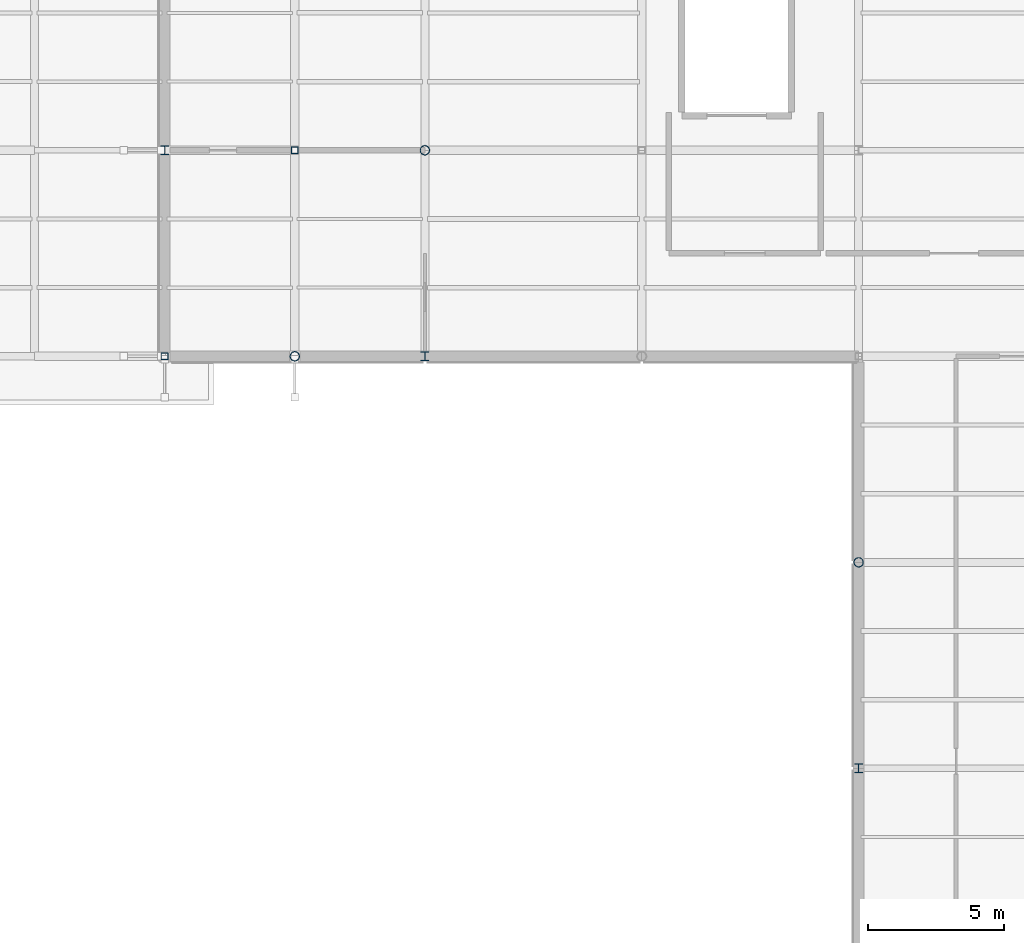
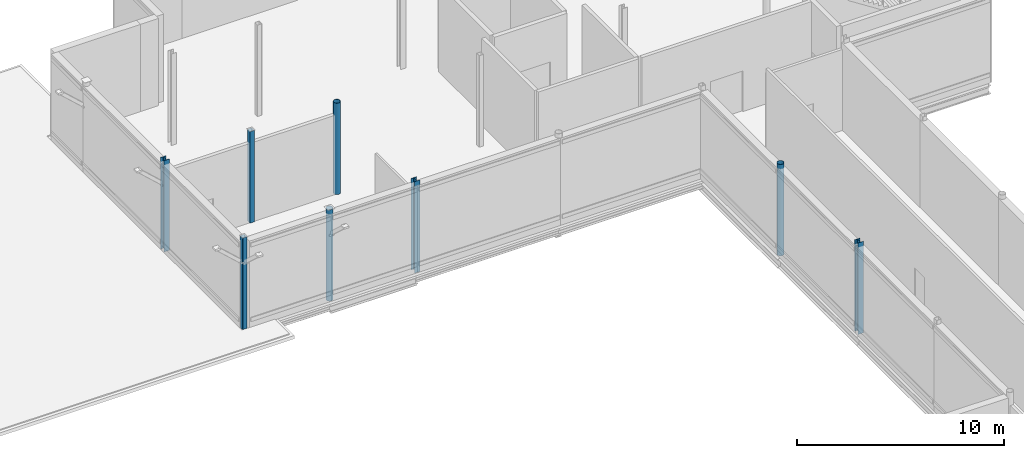
# One storey, part 10 of 147: 8 columns.
"""IFC4 building model written with IfcOpenShell, lengths in metres."""

from ifc_helpers import new_model, si_unit, direction, frame, origin, origin_2d, place, context, subcontext, project, spatial, hollow_rectangle, hollow_circle, i_section, extrude, material, material_profile, profile_set, type_object, element, save


model = new_model("IFC4")

# Units and contexts
model_context = context("Model", 3, precision=1e-05, world=origin(), true_north=direction((0.0, 1.0)))
body_context = subcontext(model_context, "Body", "Model", "MODEL_VIEW")
ifc_project = project(units=[si_unit("LENGTHUNIT", "METRE"), si_unit("AREAUNIT", "SQUARE_METRE"), si_unit("VOLUMEUNIT", "CUBIC_METRE"), si_unit("PLANEANGLEUNIT", "RADIAN"), si_unit("MASSUNIT", "GRAM", prefix="KILO")], contexts=[model_context])

# Site, building, storey
site_placement = place(None, origin())
site = spatial("IfcSite", under=ifc_project, at=site_placement, CompositionType="ELEMENT")
building_placement = place(site_placement, origin())
building = spatial("IfcBuilding", under=site, at=building_placement, Name="Vekula Escarpment Museum", CompositionType="ELEMENT")
storey_placement = place(building_placement, frame((0.0, 0.0, 7.800048828125)))
storey = spatial("IfcBuildingStorey", under=building, at=storey_placement, Name="L02", CompositionType="ELEMENT", Elevation=7.800048828125)

# Columns
ifc_material_1 = material(Name="Steel S355", Category="steel")
ifc_material_profile_1 = material_profile(ifc_material_1, hollow_circle(Radius=0.177734375, WallThickness=0.01611328125, at=origin_2d()), Name="CHS 355.6x16")
ifc_profile_set_1 = profile_set([ifc_material_profile_1], Name="Steel S355")
column_type_1 = type_object("IfcColumnType", Name="COL-S-CHS355", PredefinedType="COLUMN", material=ifc_profile_set_1)
for number, where, z_axis, x_axis, name in (
    (1, (19.199951171875, 113.199951171875, 0.0), (0.0, 0.0, 1.0), (1.0, 0.0, 0.0), "Column L02 (19.2,113.2)"),
    (2, (24.0, 120.800048828125, 0.0), (0.0, 0.0, 1.0), (1.0, 0.0, 0.0), "Column L02 (24.0,120.8)"),
    (3, (40.0, 105.60009765625, 0.0), (0.0, 0.0, 1.0), (1.0, 0.0, 0.0), "Column L02 (40.0,105.6)"),
):
    element("IfcColumn", number, at=place(storey_placement, frame(where, z_axis=z_axis, x_axis=x_axis)), inside=storey, type_object=column_type_1, Name=name, PredefinedType="COLUMN", context=body_context, shape_type="SweptSolid", body=[
        extrude(hollow_circle(Radius=0.177734375, WallThickness=0.01611328125, at=origin_2d()), origin(), (0.0, 0.0, 1.0), 5.39990234375),
    ])
ifc_material_2 = material(Name="Steel S355", Category="steel")
ifc_material_profile_2 = material_profile(ifc_material_2, i_section(OverallWidth=0.300048828125, OverallDepth=0.330078125, WebThickness=0.009521484375, FlangeThickness=0.0166015625, FilletRadius=0.027099609375, at=origin_2d()), Name="HEA 340")
ifc_profile_set_2 = profile_set([ifc_material_profile_2], Name="Steel S355")
column_type_2 = type_object("IfcColumnType", Name="COL-S-HEA340", PredefinedType="COLUMN", material=ifc_profile_set_2)
for number, where, z_axis, x_axis, name in (
    (4, (14.39990234375, 120.800048828125, 0.0), (0.0, 0.0, 1.0), (1.0, 0.0, 0.0), "Column L02 (14.4,120.8)"),
    (5, (24.0, 113.199951171875, 0.0), (0.0, 0.0, 1.0), (1.0, 0.0, 0.0), "Column L02 (24.0,113.2)"),
    (6, (40.0, 98.0, 0.0), (0.0, 0.0, 1.0), (1.0, 0.0, 0.0), "Column L02 (40.0,98.0)"),
):
    element("IfcColumn", number, at=place(storey_placement, frame(where, z_axis=z_axis, x_axis=x_axis)), inside=storey, type_object=column_type_2, Name=name, PredefinedType="COLUMN", context=body_context, shape_type="SweptSolid", body=[
        extrude(i_section(OverallWidth=0.300048828125, OverallDepth=0.330078125, WebThickness=0.009521484375, FlangeThickness=0.0166015625, FilletRadius=0.027099609375, at=origin_2d()), origin(), (0.0, 0.0, 1.0), 5.39990234375),
    ])
ifc_material_3 = material(Name="Steel S355", Category="steel")
ifc_material_profile_3 = material_profile(ifc_material_3, hollow_rectangle(XDim=0.260009765625, YDim=0.260009765625, WallThickness=0.012451171875, InnerFilletRadius=0.012451171875, OuterFilletRadius=0.02490234375, at=origin_2d()), Name="SHS 260x260x12.5")
ifc_profile_set_3 = profile_set([ifc_material_profile_3], Name="Steel S355")
column_type_3 = type_object("IfcColumnType", Name="COL-S-SHS260", PredefinedType="COLUMN", material=ifc_profile_set_3)
for number, where, z_axis, x_axis, name in (
    (7, (14.39990234375, 113.199951171875, 0.0), (0.0, 0.0, 1.0), (1.0, 0.0, 0.0), "Column L02 (14.4,113.2)"),
    (8, (19.199951171875, 120.800048828125, 0.0), (0.0, 0.0, 1.0), (1.0, 0.0, 0.0), "Column L02 (19.2,120.8)"),
):
    element("IfcColumn", number, at=place(storey_placement, frame(where, z_axis=z_axis, x_axis=x_axis)), inside=storey, type_object=column_type_3, Name=name, PredefinedType="COLUMN", context=body_context, shape_type="SweptSolid", body=[
        extrude(hollow_rectangle(XDim=0.260009765625, YDim=0.260009765625, WallThickness=0.012451171875, InnerFilletRadius=0.012451171875, OuterFilletRadius=0.02490234375, at=origin_2d()), origin(), (0.0, 0.0, 1.0), 5.39990234375),
    ])

save(model, "model.ifc")
